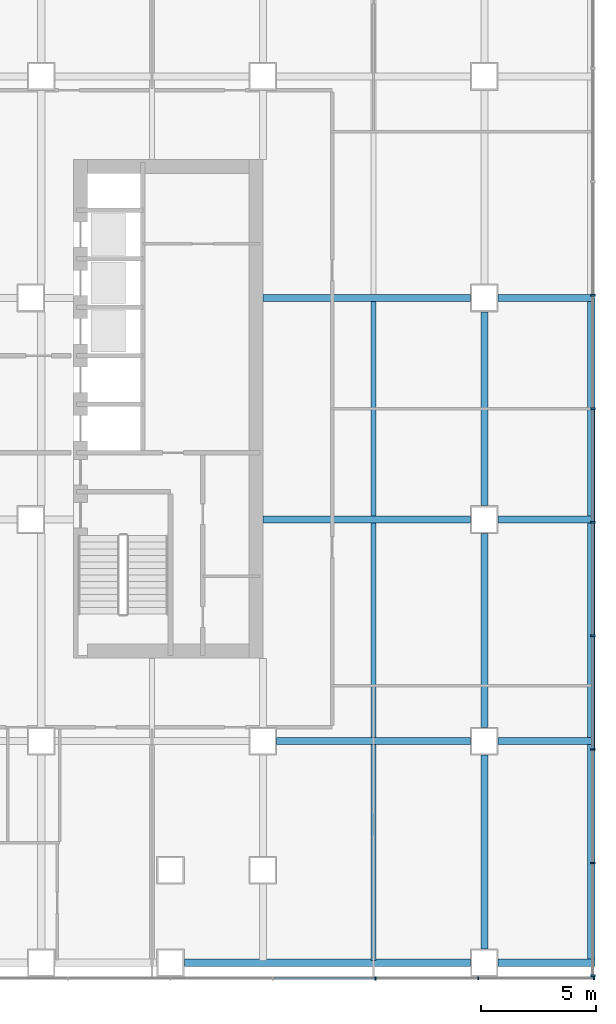
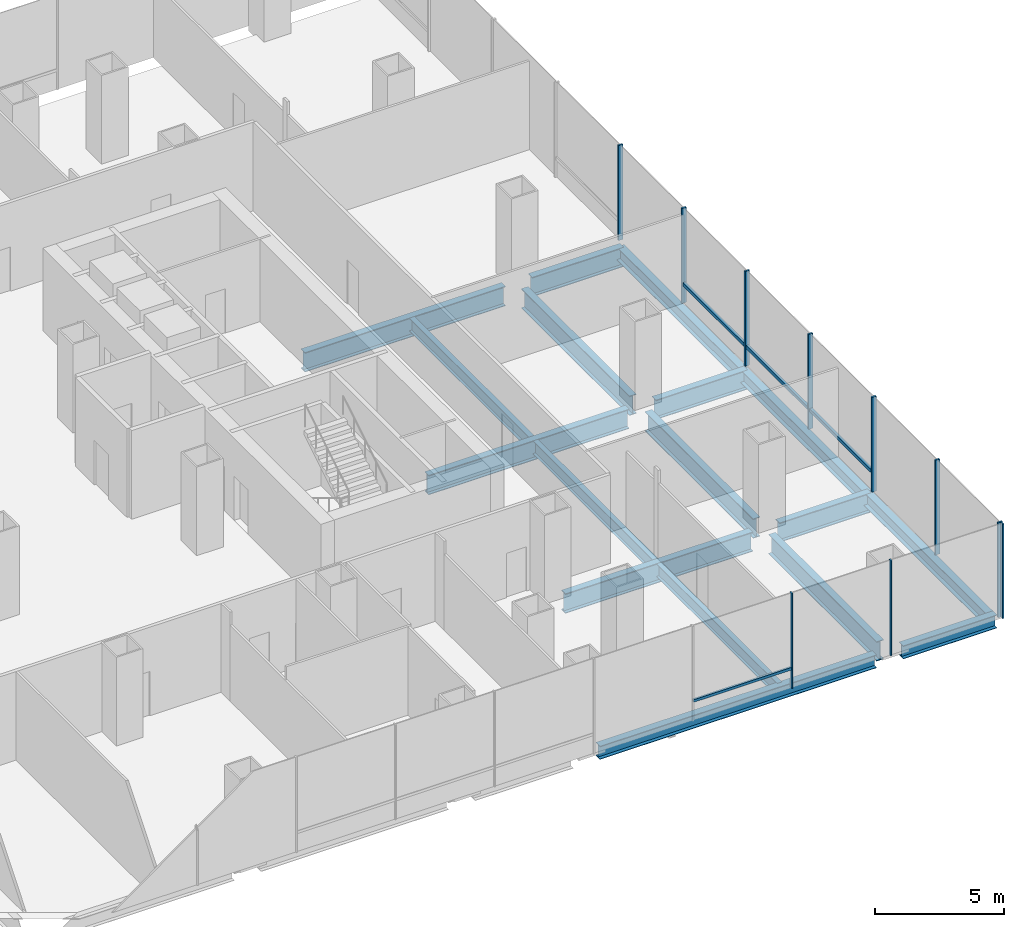
# One storey, part 12 of 23: 17 beams, 14 members, 2 elements without a shape of their own.
"""IFC4 building model written with IfcOpenShell, lengths in metres."""

from ifc_helpers import new_model, si_unit, direction, frame, origin, origin_2d, place, context, subcontext, project, spatial, rectangle, i_section, extrude, material, material_profile, profile_set, type_object, element, aggregate, save


model = new_model("IFC4")

# Units and contexts
model_context = context("Model", 3, precision=1e-05, world=origin(), true_north=direction((0.0, 1.0)))
body_context = subcontext(model_context, "Body", "Model", "MODEL_VIEW")
ifc_project = project(units=[si_unit("LENGTHUNIT", "METRE"), si_unit("AREAUNIT", "SQUARE_METRE"), si_unit("VOLUMEUNIT", "CUBIC_METRE"), si_unit("PLANEANGLEUNIT", "RADIAN"), si_unit("MASSUNIT", "GRAM", prefix="KILO")], contexts=[model_context])

# Site, building, storey
site_placement = place(None, origin())
site = spatial("IfcSite", under=ifc_project, at=site_placement, CompositionType="ELEMENT")
building_placement = place(site_placement, origin())
building = spatial("IfcBuilding", under=site, at=building_placement, Name="Cobrizo Arcos Hotel Tower", CompositionType="ELEMENT")
storey_placement = place(building_placement, frame((0.0, 0.0, 29.0)))
storey = spatial("IfcBuildingStorey", under=building, at=storey_placement, Name="L05", CompositionType="ELEMENT", Elevation=29.0)

# Curtain wall, members
ifc_material_1 = material(Name="Aluminium 6063-T6 anodised bronze", Category="aluminium")
curtain_wall_type_1 = type_object("IfcCurtainWallType", Name="CW-A guest facade", PredefinedType="NOTDEFINED", material=ifc_material_1)
curtain_wall_1_placement = place(storey_placement, origin())
curtain_wall_1 = element("IfcCurtainWall", 1, at=curtain_wall_1_placement, inside=storey, type_object=curtain_wall_type_1, Name="CW-A L05 S face", PredefinedType="NOTDEFINED")
ifc_material_profile_1 = material_profile(ifc_material_1, rectangle(XDim=0.14990234375, YDim=0.06005859375, at=origin_2d()), Name="CW-A mullion 150x60")
ifc_profile_set_1 = profile_set([ifc_material_profile_1], Name="Aluminium 6063-T6 anodised bronze")
member_type_1 = type_object("IfcMemberType", Name="CW-A mullion 150x60", PredefinedType="MULLION", material=ifc_profile_set_1)
member_1_placement = place(storey_placement, frame((28.888916015625, -24.675048828125, 0.0), z_axis=(0.0, 0.0, 1.0), x_axis=(0.0, -1.0, 0.0)))
member_1 = element("IfcMember", 2, at=member_1_placement, type_object=member_type_1, Name="CW-A mullion 16", PredefinedType="MULLION", context=body_context, shape_type="SweptSolid", body=[
    extrude(rectangle(XDim=0.14990234375, YDim=0.06005859375, at=origin_2d()), origin(), (0.0, 0.0, 1.0), 4.5),
])
member_2_placement = place(storey_placement, frame((33.333251953125, -24.675048828125, 0.0), z_axis=(0.0, 0.0, 1.0), x_axis=(0.0, -1.0, 0.0)))
member_2 = element("IfcMember", 3, at=member_2_placement, type_object=member_type_1, Name="CW-A mullion 17", PredefinedType="MULLION", context=body_context, shape_type="SweptSolid", body=[
    extrude(rectangle(XDim=0.14990234375, YDim=0.06005859375, at=origin_2d()), origin(), (0.0, 0.0, 1.0), 4.5),
])
member_3_placement = place(storey_placement, frame((38.344970703125, -24.675048828125, 0.0), z_axis=(0.0, 0.0, 1.0), x_axis=(0.0, -1.0, 0.0)))
member_3 = element("IfcMember", 4, at=member_3_placement, type_object=member_type_1, Name="CW-A mullion 18", PredefinedType="MULLION", context=body_context, shape_type="SweptSolid", body=[
    extrude(rectangle(XDim=0.14990234375, YDim=0.06005859375, at=origin_2d()), origin(), (0.0, 0.0, 1.0), 4.5),
])
ifc_material_profile_2 = material_profile(ifc_material_1, rectangle(XDim=0.10009765625, YDim=0.1201171875, at=origin_2d()), Name="CW-A transom 120x100")
ifc_profile_set_2 = profile_set([ifc_material_profile_2], Name="Aluminium 6063-T6 anodised bronze")
member_type_2 = type_object("IfcMemberType", Name="CW-A transom 120x100", PredefinedType="USERDEFINED", material=ifc_profile_set_2)
member_4_placement = place(storey_placement, frame((24.474365234375, -24.675048828125, 0.929931640625), z_axis=(1.0, 0.0, 0.0), x_axis=(0.0, 1.0, 0.0)))
member_4 = element("IfcMember", 5, at=member_4_placement, type_object=member_type_2, Name="CW-A transom 320", ObjectType="TRANSOM", PredefinedType="USERDEFINED", context=body_context, shape_type="SweptSolid", body=[
    extrude(rectangle(XDim=0.10009765625, YDim=0.1201171875, at=origin_2d()), origin(), (0.0, 0.0, 1.0), 4.384521484375),
])
aggregate(curtain_wall_1, [member_1, member_2, member_3, member_4])

curtain_wall_type_2 = type_object("IfcCurtainWallType", Name="CW-B podium glazing", PredefinedType="NOTDEFINED", material=ifc_material_1)
curtain_wall_2_placement = place(storey_placement, origin())
curtain_wall_2 = element("IfcCurtainWall", 6, at=curtain_wall_2_placement, inside=storey, type_object=curtain_wall_type_2, Name="CW-B L05 E face", PredefinedType="NOTDEFINED")
ifc_material_profile_3 = material_profile(ifc_material_1, rectangle(XDim=0.199951171875, YDim=0.080078125, at=origin_2d()), Name="CW-B mullion 200x80")
ifc_profile_set_3 = profile_set([ifc_material_profile_3], Name="Aluminium 6063-T6 anodised bronze")
member_type_3 = type_object("IfcMemberType", Name="CW-B mullion 200x80", PredefinedType="MULLION", material=ifc_profile_set_3)
member_5_placement = place(storey_placement, frame((38.300048828125, -24.56005859375, 0.0), z_axis=(0.0, 0.0, 1.0), x_axis=(1.0, 0.0, 0.0)))
member_5 = element("IfcMember", 7, at=member_5_placement, type_object=member_type_3, Name="CW-B mullion 1", PredefinedType="MULLION", context=body_context, shape_type="SweptSolid", body=[
    extrude(rectangle(XDim=0.199951171875, YDim=0.080078125, at=origin_2d()), origin(), (0.0, 0.0, 1.0), 4.5),
])
member_6_placement = place(storey_placement, frame((38.300048828125, -19.679931640625, 0.0), z_axis=(0.0, 0.0, 1.0), x_axis=(1.0, 0.0, 0.0)))
member_6 = element("IfcMember", 8, at=member_6_placement, type_object=member_type_3, Name="CW-B mullion 2", PredefinedType="MULLION", context=body_context, shape_type="SweptSolid", body=[
    extrude(rectangle(XDim=0.199951171875, YDim=0.080078125, at=origin_2d()), origin(), (0.0, 0.0, 1.0), 4.5),
])
member_7_placement = place(storey_placement, frame((38.300048828125, -14.760009765625, 0.0), z_axis=(0.0, 0.0, 1.0), x_axis=(1.0, 0.0, 0.0)))
member_7 = element("IfcMember", 9, at=member_7_placement, type_object=member_type_3, Name="CW-B mullion 3", PredefinedType="MULLION", context=body_context, shape_type="SweptSolid", body=[
    extrude(rectangle(XDim=0.199951171875, YDim=0.080078125, at=origin_2d()), origin(), (0.0, 0.0, 1.0), 4.5),
])
member_8_placement = place(storey_placement, frame((38.300048828125, -9.840087890625, 0.0), z_axis=(0.0, 0.0, 1.0), x_axis=(1.0, 0.0, 0.0)))
member_8 = element("IfcMember", 10, at=member_8_placement, type_object=member_type_3, Name="CW-B mullion 4", PredefinedType="MULLION", context=body_context, shape_type="SweptSolid", body=[
    extrude(rectangle(XDim=0.199951171875, YDim=0.080078125, at=origin_2d()), origin(), (0.0, 0.0, 1.0), 4.5),
])
member_9_placement = place(storey_placement, frame((38.300048828125, -4.919921875, 0.0), z_axis=(0.0, 0.0, 1.0), x_axis=(1.0, 0.0, 0.0)))
member_9 = element("IfcMember", 11, at=member_9_placement, type_object=member_type_3, Name="CW-B mullion 5", PredefinedType="MULLION", context=body_context, shape_type="SweptSolid", body=[
    extrude(rectangle(XDim=0.199951171875, YDim=0.080078125, at=origin_2d()), origin(), (0.0, 0.0, 1.0), 4.5),
])
member_10_placement = place(storey_placement, frame((38.300048828125, 0.0, 0.0), z_axis=(0.0, 0.0, 1.0), x_axis=(1.0, 0.0, 0.0)))
member_10 = element("IfcMember", 12, at=member_10_placement, type_object=member_type_3, Name="CW-B mullion 6", PredefinedType="MULLION", context=body_context, shape_type="SweptSolid", body=[
    extrude(rectangle(XDim=0.199951171875, YDim=0.080078125, at=origin_2d()), origin(), (0.0, 0.0, 1.0), 4.5),
])
member_11_placement = place(storey_placement, frame((38.300048828125, 4.919921875, 0.0), z_axis=(0.0, 0.0, 1.0), x_axis=(1.0, 0.0, 0.0)))
member_11 = element("IfcMember", 13, at=member_11_placement, type_object=member_type_3, Name="CW-B mullion 7", PredefinedType="MULLION", context=body_context, shape_type="SweptSolid", body=[
    extrude(rectangle(XDim=0.199951171875, YDim=0.080078125, at=origin_2d()), origin(), (0.0, 0.0, 1.0), 4.5),
])
ifc_material_profile_4 = material_profile(ifc_material_1, rectangle(XDim=0.1201171875, YDim=0.159912109375, at=origin_2d()), Name="CW-B transom 160x120")
ifc_profile_set_4 = profile_set([ifc_material_profile_4], Name="Aluminium 6063-T6 anodised bronze")
member_type_4 = type_object("IfcMemberType", Name="CW-B transom 160x120", PredefinedType="USERDEFINED", material=ifc_profile_set_4)
member_12_placement = place(storey_placement, frame((38.300048828125, -14.719970703125, 0.89990234375), z_axis=(0.0, 1.0, 0.0), x_axis=(-1.0, 0.0, 0.0)))
member_12 = element("IfcMember", 14, at=member_12_placement, type_object=member_type_4, Name="CW-B transom 271", ObjectType="TRANSOM", PredefinedType="USERDEFINED", context=body_context, shape_type="SweptSolid", body=[
    extrude(rectangle(XDim=0.1201171875, YDim=0.159912109375, at=origin_2d()), origin(), (0.0, 0.0, 1.0), 4.840087890625),
])
member_13_placement = place(storey_placement, frame((38.300048828125, -9.800048828125, 0.89990234375), z_axis=(0.0, 1.0, 0.0), x_axis=(-1.0, 0.0, 0.0)))
member_13 = element("IfcMember", 15, at=member_13_placement, type_object=member_type_4, Name="CW-B transom 272", ObjectType="TRANSOM", PredefinedType="USERDEFINED", context=body_context, shape_type="SweptSolid", body=[
    extrude(rectangle(XDim=0.1201171875, YDim=0.159912109375, at=origin_2d()), origin(), (0.0, 0.0, 1.0), 4.840087890625),
])
member_14_placement = place(storey_placement, frame((38.300048828125, -4.8798828125, 0.89990234375), z_axis=(0.0, 1.0, 0.0), x_axis=(-1.0, 0.0, 0.0)))
member_14 = element("IfcMember", 16, at=member_14_placement, type_object=member_type_4, Name="CW-B transom 273", ObjectType="TRANSOM", PredefinedType="USERDEFINED", context=body_context, shape_type="SweptSolid", body=[
    extrude(rectangle(XDim=0.1201171875, YDim=0.159912109375, at=origin_2d()), origin(), (0.0, 0.0, 1.0), 4.83984375),
])
aggregate(curtain_wall_2, [member_5, member_6, member_7, member_8, member_9, member_10, member_11, member_12, member_13, member_14])

# Beams
ifc_material_2 = material(Name="Steel ASTM A992 Grade 50", Category="steel")
ifc_material_profile_5 = material_profile(ifc_material_2, i_section(OverallWidth=0.32763671875, OverallDepth=0.622314453125, WebThickness=0.015380859375, FlangeThickness=0.0244140625, at=origin_2d()), Name="W24X131")
ifc_profile_set_5 = profile_set([ifc_material_profile_5], Name="Steel ASTM A992 Grade 50")
beam_type_1 = type_object("IfcBeamType", Name="W24X131 edge beam", PredefinedType="BEAM", material=ifc_profile_set_5)
beam_1_placement = place(storey_placement, frame((38.236083984375, -24.0, -0.51123046875), z_axis=(0.0, 1.0, 0.0), x_axis=(-1.0, 0.0, 0.0)))
element("IfcBeam", 17, at=beam_1_placement, inside=storey, type_object=beam_type_1, Name="Edge beam EB1, L05, no. 001", PredefinedType="BEAM", context=body_context, shape_type="SweptSolid", body=[
    extrude(i_section(OverallWidth=0.32763671875, OverallDepth=0.622314453125, WebThickness=0.015380859375, FlangeThickness=0.0244140625, at=origin_2d()), origin(), (0.0, 0.0, 1.0), 9.60009765625),
])
beam_2_placement = place(storey_placement, frame((38.236083984375, -14.39990234375, -0.51123046875), z_axis=(0.0, 1.0, 0.0), x_axis=(-1.0, 0.0, 0.0)))
element("IfcBeam", 18, at=beam_2_placement, inside=storey, type_object=beam_type_1, Name="Edge beam EB1, L05, no. 002", PredefinedType="BEAM", context=body_context, shape_type="SweptSolid", body=[
    extrude(i_section(OverallWidth=0.32763671875, OverallDepth=0.622314453125, WebThickness=0.015380859375, FlangeThickness=0.0244140625, at=origin_2d()), origin(), (0.0, 0.0, 1.0), 9.599853515625),
])
beam_3_placement = place(storey_placement, frame((38.236083984375, -4.800048828125, -0.51123046875), z_axis=(0.0, 1.0, 0.0), x_axis=(-1.0, 0.0, 0.0)))
element("IfcBeam", 19, at=beam_3_placement, inside=storey, type_object=beam_type_1, Name="Edge beam EB1, L05, no. 003", PredefinedType="BEAM", context=body_context, shape_type="SweptSolid", body=[
    extrude(i_section(OverallWidth=0.32763671875, OverallDepth=0.622314453125, WebThickness=0.015380859375, FlangeThickness=0.0244140625, at=origin_2d()), origin(), (0.0, 0.0, 1.0), 9.60009765625),
])
beam_4_placement = place(storey_placement, frame((34.199951171875, -24.0, -0.51123046875), z_axis=(1.0, 0.0, 0.0), x_axis=(0.0, 1.0, 0.0)))
element("IfcBeam", 20, at=beam_4_placement, inside=storey, type_object=beam_type_1, Name="Edge beam EB1, L05, no. 014", PredefinedType="BEAM", context=body_context, shape_type="SweptSolid", body=[
    extrude(i_section(OverallWidth=0.32763671875, OverallDepth=0.622314453125, WebThickness=0.015380859375, FlangeThickness=0.0244140625, at=origin_2d()), origin(), (0.0, 0.0, 1.0), 4.199951171875),
])
ifc_material_profile_6 = material_profile(ifc_material_2, i_section(OverallWidth=0.32763671875, OverallDepth=0.622314453125, WebThickness=0.015380859375, FlangeThickness=0.0244140625, at=origin_2d()), Name="W24X131")
ifc_profile_set_6 = profile_set([ifc_material_profile_6], Name="Steel ASTM A992 Grade 50")
beam_type_2 = type_object("IfcBeamType", Name="W24X131 spandrel", PredefinedType="SPANDREL", material=ifc_profile_set_6)
beam_5_placement = place(storey_placement, frame((20.60009765625, -24.0, -0.51123046875), z_axis=(1.0, 0.0, 0.0), x_axis=(0.0, 1.0, 0.0)))
element("IfcBeam", 21, at=beam_5_placement, inside=storey, type_object=beam_type_2, Name="Spandrel beam W24X131, L05, no. 014", PredefinedType="SPANDREL", context=body_context, shape_type="SweptSolid", body=[
    extrude(i_section(OverallWidth=0.32763671875, OverallDepth=0.622314453125, WebThickness=0.015380859375, FlangeThickness=0.0244140625, at=origin_2d()), origin(), (0.0, 0.0, 1.0), 12.39990234375),
])
ifc_material_profile_7 = material_profile(ifc_material_2, i_section(OverallWidth=0.23046875, OverallDepth=0.6171875, WebThickness=0.01318359375, FlangeThickness=0.022216796875, at=origin_2d()), Name="W24X94")
ifc_profile_set_7 = profile_set([ifc_material_profile_7], Name="Steel ASTM A992 Grade 50")
beam_type_3 = type_object("IfcBeamType", Name="W24X94 podium joist", PredefinedType="JOIST", material=ifc_profile_set_7)
beam_6_placement = place(storey_placement, frame((28.800048828125, -23.909912109375, -0.508544921875), z_axis=(0.0, 1.0, 0.0), x_axis=(-1.0, 0.0, 0.0)))
element("IfcBeam", 22, at=beam_6_placement, inside=storey, type_object=beam_type_3, Name="Podium joist PJ1, L05, no. 029", PredefinedType="JOIST", context=body_context, shape_type="SweptSolid", body=[
    extrude(i_section(OverallWidth=0.23046875, OverallDepth=0.6171875, WebThickness=0.01318359375, FlangeThickness=0.022216796875, at=origin_2d()), origin(), (0.0, 0.0, 1.0), 9.356201171875),
])
beam_7_placement = place(storey_placement, frame((28.800048828125, -14.246337890625, -0.508544921875), z_axis=(0.0, 1.0, 0.0), x_axis=(-1.0, 0.0, 0.0)))
element("IfcBeam", 23, at=beam_7_placement, inside=storey, type_object=beam_type_3, Name="Podium joist PJ1, L05, no. 030", PredefinedType="JOIST", context=body_context, shape_type="SweptSolid", body=[
    extrude(i_section(OverallWidth=0.23046875, OverallDepth=0.6171875, WebThickness=0.01318359375, FlangeThickness=0.022216796875, at=origin_2d()), origin(), (0.0, 0.0, 1.0), 9.292724609375),
])
beam_8_placement = place(storey_placement, frame((28.800048828125, -4.646240234375, -0.508544921875), z_axis=(0.0, 1.0, 0.0), x_axis=(-1.0, 0.0, 0.0)))
element("IfcBeam", 24, at=beam_8_placement, inside=storey, type_object=beam_type_3, Name="Podium joist PJ1, L05, no. 031", PredefinedType="JOIST", context=body_context, shape_type="SweptSolid", body=[
    extrude(i_section(OverallWidth=0.23046875, OverallDepth=0.6171875, WebThickness=0.01318359375, FlangeThickness=0.022216796875, at=origin_2d()), origin(), (0.0, 0.0, 1.0), 9.29248046875),
])
ifc_material_profile_8 = material_profile(ifc_material_2, i_section(OverallWidth=0.307373046875, OverallDepth=0.927001953125, WebThickness=0.01953125, FlangeThickness=0.031982421875, at=origin_2d()), Name="W36X194")
ifc_profile_set_8 = profile_set([ifc_material_profile_8], Name="Steel ASTM A992 Grade 50")
beam_type_4 = type_object("IfcBeamType", Name="W36X194 podium girder", PredefinedType="BEAM", material=ifc_profile_set_8)
beam_9_placement = place(storey_placement, frame((24.60009765625, -14.39990234375, -0.66357421875), z_axis=(1.0, 0.0, 0.0), x_axis=(0.0, 1.0, 0.0)))
element("IfcBeam", 25, at=beam_9_placement, inside=storey, type_object=beam_type_4, Name="Podium girder PG1, L05, no. 008", PredefinedType="BEAM", context=body_context, shape_type="SweptSolid", body=[
    extrude(i_section(OverallWidth=0.307373046875, OverallDepth=0.927001953125, WebThickness=0.01953125, FlangeThickness=0.031982421875, at=origin_2d()), origin(), (0.0, 0.0, 1.0), 8.39990234375),
])
beam_10_placement = place(storey_placement, frame((34.199951171875, -14.39990234375, -0.66357421875), z_axis=(1.0, 0.0, 0.0), x_axis=(0.0, 1.0, 0.0)))
element("IfcBeam", 26, at=beam_10_placement, inside=storey, type_object=beam_type_4, Name="Podium girder PG1, L05, no. 009", PredefinedType="BEAM", context=body_context, shape_type="SweptSolid", body=[
    extrude(i_section(OverallWidth=0.307373046875, OverallDepth=0.927001953125, WebThickness=0.01953125, FlangeThickness=0.031982421875, at=origin_2d()), origin(), (0.0, 0.0, 1.0), 4.110107421875),
])
beam_11_placement = place(storey_placement, frame((24.010009765625, -4.800048828125, -0.66357421875), z_axis=(1.0, 0.0, 0.0), x_axis=(0.0, 1.0, 0.0)))
element("IfcBeam", 27, at=beam_11_placement, inside=storey, type_object=beam_type_4, Name="Podium girder PG1, L05, no. 016", PredefinedType="BEAM", context=body_context, shape_type="SweptSolid", body=[
    extrude(i_section(OverallWidth=0.307373046875, OverallDepth=0.927001953125, WebThickness=0.01953125, FlangeThickness=0.031982421875, at=origin_2d()), origin(), (0.0, 0.0, 1.0), 8.989990234375),
])
beam_12_placement = place(storey_placement, frame((34.199951171875, -4.800048828125, -0.66357421875), z_axis=(1.0, 0.0, 0.0), x_axis=(0.0, 1.0, 0.0)))
element("IfcBeam", 28, at=beam_12_placement, inside=storey, type_object=beam_type_4, Name="Podium girder PG1, L05, no. 017", PredefinedType="BEAM", context=body_context, shape_type="SweptSolid", body=[
    extrude(i_section(OverallWidth=0.307373046875, OverallDepth=0.927001953125, WebThickness=0.01953125, FlangeThickness=0.031982421875, at=origin_2d()), origin(), (0.0, 0.0, 1.0), 4.110107421875),
])
beam_13_placement = place(storey_placement, frame((24.010009765625, 4.800048828125, -0.66357421875), z_axis=(1.0, 0.0, 0.0), x_axis=(0.0, 1.0, 0.0)))
element("IfcBeam", 29, at=beam_13_placement, inside=storey, type_object=beam_type_4, Name="Podium girder PG1, L05, no. 024", PredefinedType="BEAM", context=body_context, shape_type="SweptSolid", body=[
    extrude(i_section(OverallWidth=0.307373046875, OverallDepth=0.927001953125, WebThickness=0.01953125, FlangeThickness=0.031982421875, at=origin_2d()), origin(), (0.0, 0.0, 1.0), 8.989990234375),
])
beam_14_placement = place(storey_placement, frame((34.199951171875, 4.800048828125, -0.66357421875), z_axis=(1.0, 0.0, 0.0), x_axis=(0.0, 1.0, 0.0)))
element("IfcBeam", 30, at=beam_14_placement, inside=storey, type_object=beam_type_4, Name="Podium girder PG1, L05, no. 025", PredefinedType="BEAM", context=body_context, shape_type="SweptSolid", body=[
    extrude(i_section(OverallWidth=0.307373046875, OverallDepth=0.927001953125, WebThickness=0.01953125, FlangeThickness=0.031982421875, at=origin_2d()), origin(), (0.0, 0.0, 1.0), 4.110107421875),
])
beam_15_placement = place(storey_placement, frame((33.60009765625, -23.39990234375, -0.66357421875), z_axis=(0.0, 1.0, 0.0), x_axis=(-1.0, 0.0, 0.0)))
element("IfcBeam", 31, at=beam_15_placement, inside=storey, type_object=beam_type_4, Name="Podium girder PG1, L05, no. 072", PredefinedType="BEAM", context=body_context, shape_type="SweptSolid", body=[
    extrude(i_section(OverallWidth=0.307373046875, OverallDepth=0.927001953125, WebThickness=0.01953125, FlangeThickness=0.031982421875, at=origin_2d()), origin(), (0.0, 0.0, 1.0), 8.39990234375),
])
beam_16_placement = place(storey_placement, frame((33.60009765625, -13.800048828125, -0.66357421875), z_axis=(0.0, 1.0, 0.0), x_axis=(-1.0, 0.0, 0.0)))
element("IfcBeam", 32, at=beam_16_placement, inside=storey, type_object=beam_type_4, Name="Podium girder PG1, L05, no. 073", PredefinedType="BEAM", context=body_context, shape_type="SweptSolid", body=[
    extrude(i_section(OverallWidth=0.307373046875, OverallDepth=0.927001953125, WebThickness=0.01953125, FlangeThickness=0.031982421875, at=origin_2d()), origin(), (0.0, 0.0, 1.0), 8.400146484375),
])
beam_17_placement = place(storey_placement, frame((33.60009765625, -4.199951171875, -0.66357421875), z_axis=(0.0, 1.0, 0.0), x_axis=(-1.0, 0.0, 0.0)))
element("IfcBeam", 33, at=beam_17_placement, inside=storey, type_object=beam_type_4, Name="Podium girder PG1, L05, no. 074", PredefinedType="BEAM", context=body_context, shape_type="SweptSolid", body=[
    extrude(i_section(OverallWidth=0.307373046875, OverallDepth=0.927001953125, WebThickness=0.01953125, FlangeThickness=0.031982421875, at=origin_2d()), origin(), (0.0, 0.0, 1.0), 8.39990234375),
])

save(model, "model.ifc")
